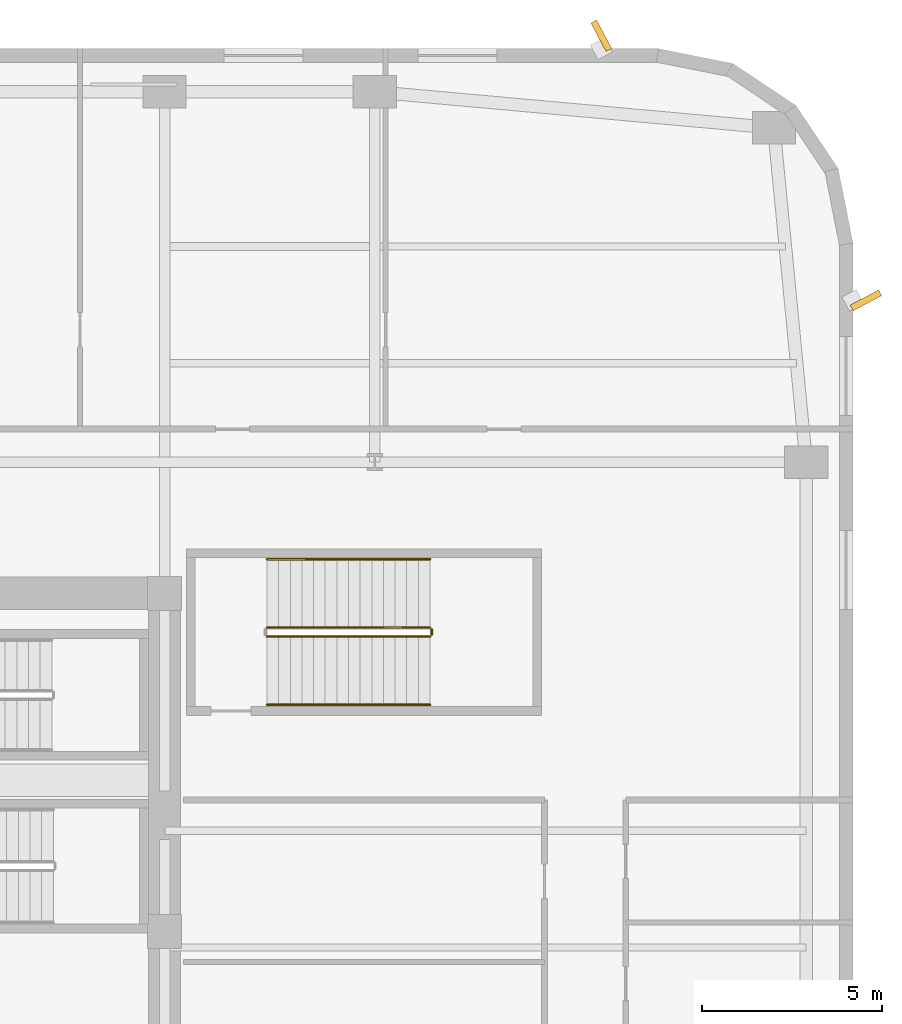
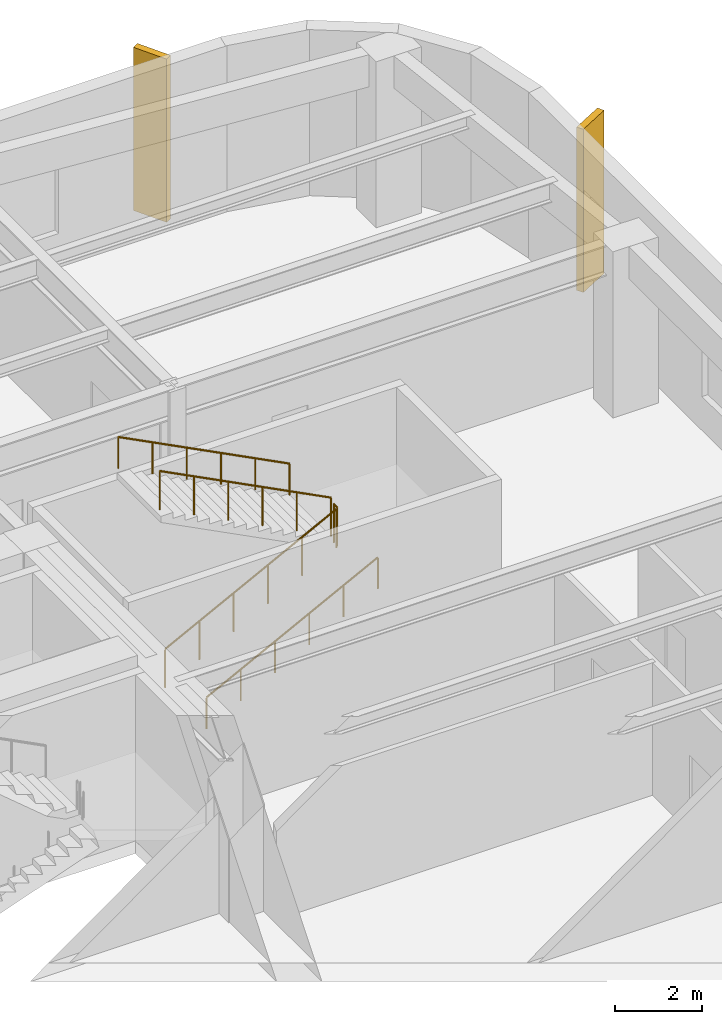
# One storey, part 21 of 21: 5 railings, 2 shading devices.
"""IFC4 building model written with IfcOpenShell, lengths in metres."""

from ifc_helpers import new_model, si_unit, direction, frame, origin, origin_2d, place, context, subcontext, project, spatial, rectangle, circle, extrude, material, type_object, element, save


model = new_model("IFC4")

# Units and contexts
model_context = context("Model", 3, precision=1e-05, world=origin(), true_north=direction((0.0, 1.0)))
body_context = subcontext(model_context, "Body", "Model", "MODEL_VIEW")
ifc_project = project(units=[si_unit("LENGTHUNIT", "METRE"), si_unit("AREAUNIT", "SQUARE_METRE"), si_unit("VOLUMEUNIT", "CUBIC_METRE"), si_unit("PLANEANGLEUNIT", "RADIAN"), si_unit("MASSUNIT", "GRAM", prefix="KILO")], contexts=[model_context])

# Site, building, storey
site_placement = place(None, origin())
site = spatial("IfcSite", under=ifc_project, at=site_placement, CompositionType="ELEMENT")
building_placement = place(site_placement, origin())
building = spatial("IfcBuilding", under=site, at=building_placement, Name="Kolvaren Arena Tower", CompositionType="ELEMENT")
storey_placement = place(building_placement, frame((0.0, 0.0, 18.0)))
storey = spatial("IfcBuildingStorey", under=building, at=storey_placement, Name="L03", CompositionType="ELEMENT", Elevation=18.0)

# Railings
ifc_material_1 = material(Name="Painted galvanized steel", Category="steel")
railing_type_1 = type_object("IfcRailingType", Name="GUARD-ST-110", PredefinedType="GUARDRAIL", material=ifc_material_1)
railing_1_placement = place(storey_placement, frame((63.199951171875, 38.14990234375, 0.166748046875)))
element("IfcRailing", 1, at=railing_1_placement, inside=storey, type_object=railing_type_1, Name="L03 ST-A8 stair guard 1", PredefinedType="GUARDRAIL", context=body_context, shape_type="SweptSolid", body=[
    extrude(circle(Radius=0.02392578125, at=origin_2d()), frame((0.0, 0.0, 1.076171875), z_axis=(0.889257211316, 0.0, 0.457407490234), x_axis=(0.0, 1.0, 0.0)), (0.0, 0.0, 1.0), 5.10107421875),
    extrude(circle(Radius=0.02099609375, at=origin_2d()), origin(), (0.0, 0.0, 1.0), 1.052001953125),
    extrude(circle(Radius=0.02099609375, at=origin_2d()), frame((0.9072265625, 0.0, 0.466552734375)), (0.0, 0.0, 1.0), 1.052001953125),
    extrude(circle(Radius=0.02099609375, at=origin_2d()), frame((1.814453125, 0.0, 0.933349609375)), (0.0, 0.0, 1.0), 1.052001953125),
    extrude(circle(Radius=0.02099609375, at=origin_2d()), frame((2.7216796875, 0.0, 1.39990234375)), (0.0, 0.0, 1.0), 1.052001953125),
    extrude(circle(Radius=0.02099609375, at=origin_2d()), frame((3.62890625, 0.0, 1.86669921875)), (0.0, 0.0, 1.0), 1.052001953125),
    extrude(circle(Radius=0.02099609375, at=origin_2d()), frame((4.5361328125, 0.0, 2.333251953125)), (0.0, 0.0, 1.0), 1.052001953125),
])
railing_2_placement = place(storey_placement, frame((67.785888671875, 38.199951171875, 2.5)))
element("IfcRailing", 2, at=railing_2_placement, inside=storey, type_object=railing_type_1, Name="L03 ST-A8 stair guard 2", PredefinedType="GUARDRAIL", context=body_context, shape_type="SweptSolid", body=[
    extrude(circle(Radius=0.02392578125, at=origin_2d()), frame((0.0, 0.0, 1.076171875), z_axis=(0.0, 1.0, 0.0), x_axis=(-1.0, 0.0, 0.0)), (0.0, 0.0, 1.0), 0.150146484375),
    extrude(circle(Radius=0.02099609375, at=origin_2d()), origin(), (0.0, 0.0, 1.0), 1.052001953125),
    extrude(circle(Radius=0.02099609375, at=origin_2d()), frame((0.0, 0.150146484375, 0.0)), (0.0, 0.0, 1.0), 1.052001953125),
])
railing_3_placement = place(storey_placement, frame((67.736083984375, 38.39990234375, 2.666748046875)))
element("IfcRailing", 3, at=railing_3_placement, inside=storey, type_object=railing_type_1, Name="L03 ST-A8 stair guard 3", PredefinedType="GUARDRAIL", context=body_context, shape_type="SweptSolid", body=[
    extrude(circle(Radius=0.02392578125, at=origin_2d()), frame((0.0, 0.0, 1.076171875), z_axis=(-0.889257211316, 0.0, 0.457407490234), x_axis=(0.0, -1.0, 0.0)), (0.0, 0.0, 1.0), 5.10107421875),
    extrude(circle(Radius=0.02099609375, at=origin_2d()), origin(), (0.0, 0.0, 1.0), 1.052001953125),
    extrude(circle(Radius=0.02099609375, at=origin_2d()), frame((-0.9072265625, 0.0, 0.466552734375)), (0.0, 0.0, 1.0), 1.052001953125),
    extrude(circle(Radius=0.02099609375, at=origin_2d()), frame((-1.814453125, 0.0, 0.933349609375)), (0.0, 0.0, 1.0), 1.052001953125),
    extrude(circle(Radius=0.02099609375, at=origin_2d()), frame((-2.7216796875, 0.0, 1.39990234375)), (0.0, 0.0, 1.0), 1.052001953125),
    extrude(circle(Radius=0.02099609375, at=origin_2d()), frame((-3.62890625, 0.0, 1.86669921875)), (0.0, 0.0, 1.0), 1.052001953125),
    extrude(circle(Radius=0.02099609375, at=origin_2d()), frame((-4.5361328125, 0.0, 2.333251953125)), (0.0, 0.0, 1.0), 1.052001953125),
])
ifc_material_2 = material(Name="Brushed stainless steel handrail", Category="steel")
railing_type_2 = type_object("IfcRailingType", Name="HRAIL-900", PredefinedType="HANDRAIL", material=ifc_material_2)
railing_4_placement = place(storey_placement, frame((63.199951171875, 36.25, 0.166748046875)))
element("IfcRailing", 4, at=railing_4_placement, inside=storey, type_object=railing_type_2, Name="L03 ST-A8 stair handrail 1", PredefinedType="HANDRAIL", context=body_context, shape_type="SweptSolid", body=[
    extrude(circle(Radius=0.02392578125, at=origin_2d()), frame((0.0, 0.0, 0.8759765625), z_axis=(0.889257211316, 0.0, 0.457407490234), x_axis=(0.0, 1.0, 0.0)), (0.0, 0.0, 1.0), 5.10107421875),
    extrude(circle(Radius=0.02099609375, at=origin_2d()), origin(), (0.0, 0.0, 1.0), 0.851806640625),
    extrude(circle(Radius=0.02099609375, at=origin_2d()), frame((0.9072265625, 0.0, 0.466552734375)), (0.0, 0.0, 1.0), 0.851806640625),
    extrude(circle(Radius=0.02099609375, at=origin_2d()), frame((1.814453125, 0.0, 0.933349609375)), (0.0, 0.0, 1.0), 0.851806640625),
    extrude(circle(Radius=0.02099609375, at=origin_2d()), frame((2.7216796875, 0.0, 1.39990234375)), (0.0, 0.0, 1.0), 0.851806640625),
    extrude(circle(Radius=0.02099609375, at=origin_2d()), frame((3.62890625, 0.0, 1.86669921875)), (0.0, 0.0, 1.0), 0.851806640625),
    extrude(circle(Radius=0.02099609375, at=origin_2d()), frame((4.5361328125, 0.0, 2.333251953125)), (0.0, 0.0, 1.0), 0.851806640625),
])
railing_5_placement = place(storey_placement, frame((67.736083984375, 40.300048828125, 2.666748046875)))
element("IfcRailing", 5, at=railing_5_placement, inside=storey, type_object=railing_type_2, Name="L03 ST-A8 stair handrail 2", PredefinedType="HANDRAIL", context=body_context, shape_type="SweptSolid", body=[
    extrude(circle(Radius=0.02392578125, at=origin_2d()), frame((0.0, 0.0, 0.8759765625), z_axis=(-0.889257211316, 0.0, 0.457407490234), x_axis=(0.0, -1.0, 0.0)), (0.0, 0.0, 1.0), 5.10107421875),
    extrude(circle(Radius=0.02099609375, at=origin_2d()), origin(), (0.0, 0.0, 1.0), 0.851806640625),
    extrude(circle(Radius=0.02099609375, at=origin_2d()), frame((-0.9072265625, 0.0, 0.466552734375)), (0.0, 0.0, 1.0), 0.851806640625),
    extrude(circle(Radius=0.02099609375, at=origin_2d()), frame((-1.814453125, 0.0, 0.933349609375)), (0.0, 0.0, 1.0), 0.851806640625),
    extrude(circle(Radius=0.02099609375, at=origin_2d()), frame((-2.7216796875, 0.0, 1.39990234375)), (0.0, 0.0, 1.0), 0.851806640625),
    extrude(circle(Radius=0.02099609375, at=origin_2d()), frame((-3.62890625, 0.0, 1.86669921875)), (0.0, 0.0, 1.0), 0.851806640625),
    extrude(circle(Radius=0.02099609375, at=origin_2d()), frame((-4.5361328125, 0.0, 2.333251953125)), (0.0, 0.0, 1.0), 0.851806640625),
])

# Shading devices
ifc_material_3 = material(Name="Precast architectural concrete C50/60 rib fin", Category="concrete")
shading_device_type = type_object("IfcShadingDeviceType", Name="SHAD-FIN-28", PredefinedType="USERDEFINED", material=ifc_material_3)
for number, where, z_axis, x_axis, name in (
    (6, (79.860107421875, 47.5, 0.02001953125), (0.0, 0.0, 1.0), (0.882947592859, 0.469471562786, 0.0), "Arena Podium 28-Deg Precast Fin (L03)"),
    (7, (72.5, 54.860107421875, 0.02001953125), (0.0, 0.0, 1.0), (-0.469471562786, 0.882947592859, 0.0), "Arena Podium 28-Deg Precast Fin (L03)"),
):
    element("IfcShadingDevice", number, at=place(storey_placement, frame(where, z_axis=z_axis, x_axis=x_axis)), inside=storey, type_object=shading_device_type, Name=name, ObjectType="FIN", PredefinedType="USERDEFINED", context=body_context, shape_type="SweptSolid", body=[
        extrude(rectangle(XDim=0.89990234375, YDim=0.179931640625, at=origin_2d()), origin(), (0.0, 0.0, 1.0), 4.570068359375),
    ])

save(model, "model.ifc")
